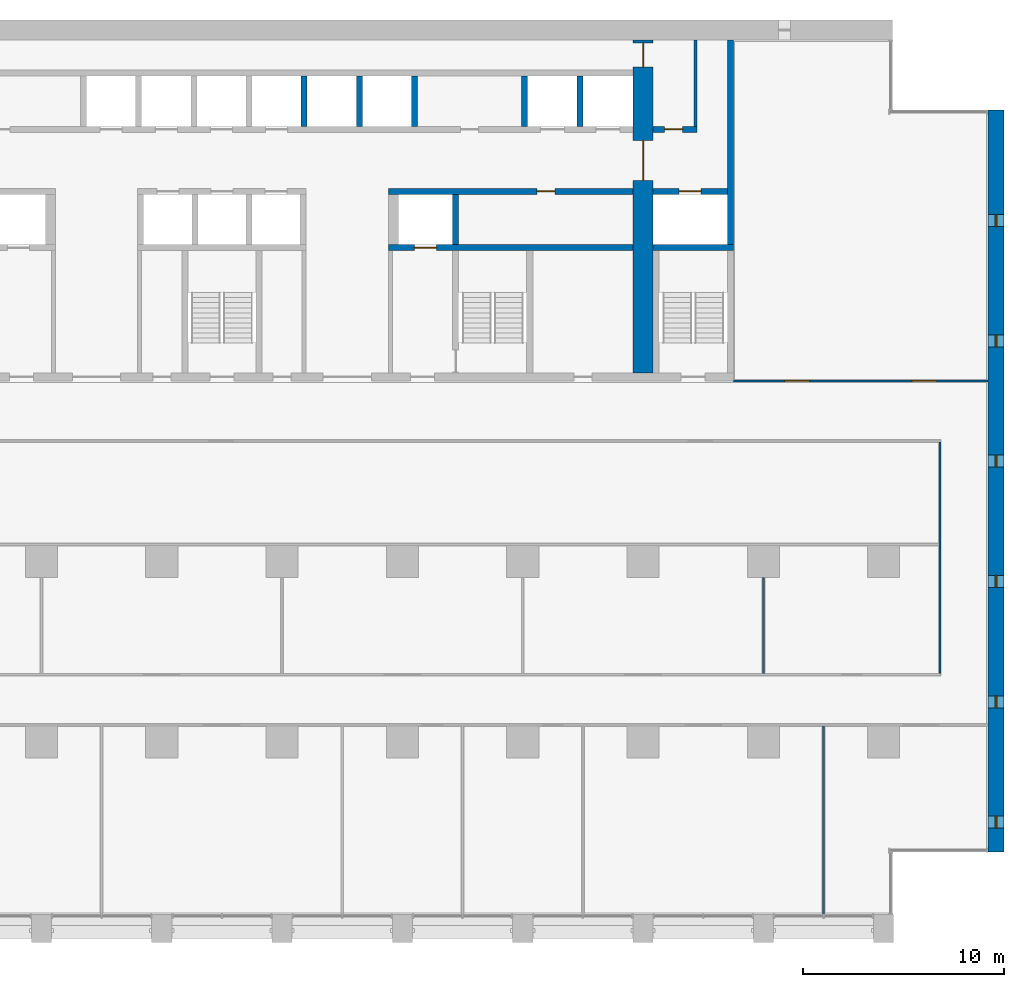
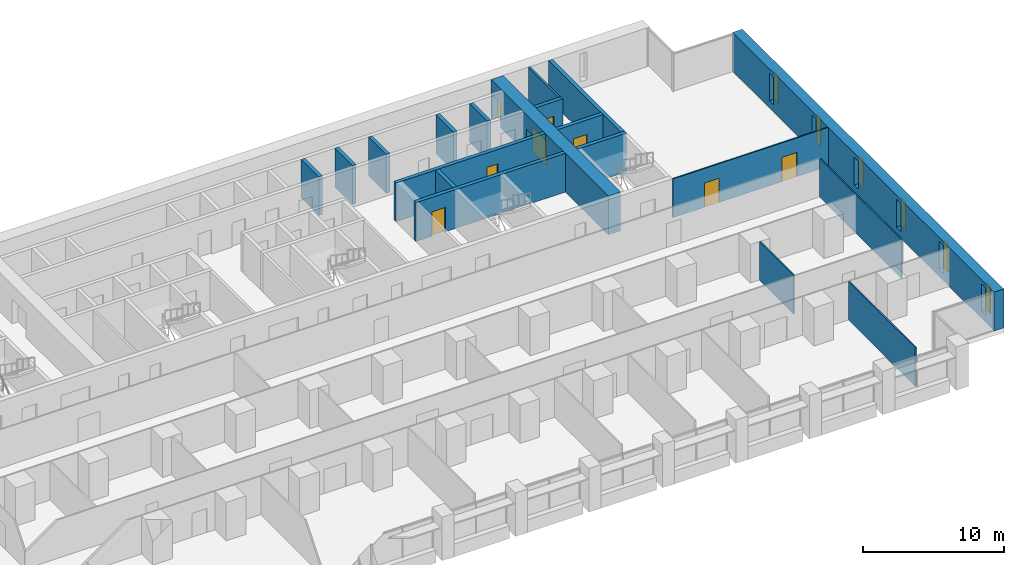
# One storey, part 13 of 18: 19 walls, 8 doors, 6 windows, 14 openings.
"""IFC4 building model written with IfcOpenShell, lengths in metres."""

from ifc_helpers import new_model, si_unit, direction, frame, frame_2d, origin, place, context, subcontext, project, spatial, rectangle, extrude, material, layer, layer_set, type_object, element, fill, save


model = new_model("IFC4")

# Units and contexts
model_context = context("Model", 3, precision=1e-05, world=origin(), true_north=direction((0.0, 1.0)))
body_context = subcontext(model_context, "Body", "Model", "MODEL_VIEW")
ifc_project = project(units=[si_unit("LENGTHUNIT", "METRE"), si_unit("AREAUNIT", "SQUARE_METRE"), si_unit("VOLUMEUNIT", "CUBIC_METRE"), si_unit("PLANEANGLEUNIT", "RADIAN"), si_unit("MASSUNIT", "GRAM", prefix="KILO")], contexts=[model_context])

# Site, building, storey
site_placement = place(None, origin())
site = spatial("IfcSite", under=ifc_project, at=site_placement, CompositionType="ELEMENT")
building_placement = place(site_placement, origin())
building = spatial("IfcBuilding", under=site, at=building_placement, Name="Calvaro Tower", CompositionType="ELEMENT")
storey_placement = place(building_placement, frame((0.0, 0.0, 63.75)))
storey = spatial("IfcBuildingStorey", under=building, at=storey_placement, Name="L15", CompositionType="ELEMENT", Elevation=63.75)

# Wall
ifc_material_1 = material(Name="Blockwork partition", Category="masonry")
ifc_layer_1 = layer(ifc_material_1, 0.14990234375)
ifc_layer_set_1 = layer_set([ifc_layer_1], Name="Blockwork partition")
wall_type_1 = type_object("IfcWallType", Name="Core partition 150 REI 120", PredefinedType="PARTITIONING", material=ifc_layer_set_1)
wall_1_placement = place(storey_placement, frame((62.625, 40.699951171875, 0.0), z_axis=(0.0, 0.0, 1.0), x_axis=(0.0, 1.0, 0.0)))
element("IfcWall", 1, at=wall_1_placement, inside=storey, type_object=wall_type_1, Name="Core partition", PredefinedType="PARTITIONING", context=body_context, shape_type="SweptSolid", body=[
    extrude(rectangle(XDim=4.300048828125, YDim=0.14990234375, at=frame_2d((2.14990234375, 0.0))), origin(), (0.0, 0.0, 1.0), 3.35009765625),
])

# Wall, opening, door
ifc_material_2 = material(Name="Blockwork partition", Category="masonry")
ifc_layer_2 = layer(ifc_material_2, 0.300048828125)
ifc_layer_set_2 = layer_set([ifc_layer_2], Name="Blockwork partition")
wall_type_2 = type_object("IfcWallType", Name="Core partition 300 REI 120", PredefinedType="PARTITIONING", material=ifc_layer_set_2)
wall_2_placement = place(storey_placement, frame((60.5, 40.550048828125, 0.0), z_axis=(0.0, 0.0, 1.0), x_axis=(1.0, 0.0, 0.0)))
wall_2 = element("IfcWall", 2, at=wall_2_placement, inside=storey, type_object=wall_type_2, Name="Core partition", PredefinedType="PARTITIONING", context=body_context, shape_type="SweptSolid", body=[
    extrude(rectangle(XDim=2.199951171875, YDim=0.300048828125, at=frame_2d((1.10009765625, 0.0))), origin(), (0.0, 0.0, 1.0), 3.35009765625),
])
opening_1_placement = place(wall_2_placement, frame((0.574951171875, 0.0, 0.0)))
opening_1 = element("IfcOpeningElement", 3, at=opening_1_placement, cuts=wall_2, Name="Opening RD9C", PredefinedType="OPENING", context=body_context, shape_type="SweptSolid", body=[
    extrude(rectangle(XDim=0.89990234375, YDim=2.10009765625, at=frame_2d((0.449951171875, 1.050048828125))), frame((0.0, 0.159912109375, 0.0), z_axis=(0.0, -1.0, 0.0), x_axis=(1.0, 0.0, 0.0)), (0.0, 0.0, 1.0), 0.320068359375),
])
ifc_material_3 = material(Name="Steel door set", Category="steel")
door_type_1 = type_object("IfcDoorType", Name="Room door 900 FD30", OperationType="SINGLE_SWING_LEFT", PredefinedType="DOOR", material=ifc_material_3)
door_1_placement = place(opening_1_placement, origin())
door_1 = element("IfcDoor", 4, at=door_1_placement, inside=storey, type_object=door_type_1, Name="Room door", OperationType="SINGLE_SWING_LEFT", OverallHeight=2.10009765625, OverallWidth=0.89990234375, PredefinedType="DOOR", context=body_context, shape_type="SweptSolid", body=[
    extrude(rectangle(XDim=0.89990234375, YDim=2.10009765625, at=frame_2d((0.449951171875, 1.050048828125))), frame((0.0, 0.02490234375, 0.0), z_axis=(0.0, -1.0, 0.0), x_axis=(1.0, 0.0, 0.0)), (0.0, 0.0, 1.0), 0.050048828125),
])
fill(opening_1, door_1)

# Wall, openings, doors
ifc_material_4 = material(Name="Concrete C80/95", Category="concrete")
ifc_layer_3 = layer(ifc_material_4, 1.0)
ifc_layer_set_3 = layer_set([ifc_layer_3], Name="Concrete C80/95")
wall_type_3 = type_object("IfcWallType", Name="Core wall C80/95 1000", PredefinedType="SHEAR", material=ifc_layer_set_3)
wall_3_placement = place(storey_placement, frame((60.0, 28.39990234375, 0.0), z_axis=(0.0, 0.0, 1.0), x_axis=(0.0, 1.0, 0.0)))
wall_3 = element("IfcWall", 5, at=wall_3_placement, inside=storey, type_object=wall_type_3, Name="Core wall, cross shear wall", PredefinedType="SHEAR", context=body_context, shape_type="SweptSolid", body=[
    extrude(rectangle(XDim=16.60009765625, YDim=1.0, at=frame_2d((8.300048828125, 0.0))), origin(), (0.0, 0.0, 1.0), 3.35009765625),
])
opening_2_placement = place(wall_3_placement, frame((9.60009765625, 0.0, 0.0)))
opening_2 = element("IfcOpeningElement", 6, at=opening_2_placement, cuts=wall_3, Name="Opening DD20D", PredefinedType="OPENING", context=body_context, shape_type="SweptSolid", body=[
    extrude(rectangle(XDim=2.0, YDim=2.10009765625, at=frame_2d((1.0, 1.050048828125))), frame((0.0, 0.510009765625, 0.0), z_axis=(0.0, -1.0, 0.0), x_axis=(1.0, 0.0, 0.0)), (0.0, 0.0, 1.0), 1.02001953125),
])
opening_3_placement = place(wall_3_placement, frame((15.25, 0.0, 0.0)))
opening_3 = element("IfcOpeningElement", 7, at=opening_3_placement, cuts=wall_3, Name="Opening FD12C", PredefinedType="OPENING", context=body_context, shape_type="SweptSolid", body=[
    extrude(rectangle(XDim=1.199951171875, YDim=2.10009765625, at=frame_2d((0.60009765625, 1.050048828125))), frame((0.0, 0.510009765625, 0.0), z_axis=(0.0, -1.0, 0.0), x_axis=(1.0, 0.0, 0.0)), (0.0, 0.0, 1.0), 1.02001953125),
])
ifc_material_5 = material(Name="Steel door set", Category="steel")
door_type_2 = type_object("IfcDoorType", Name="Fire door 1200 FD30", OperationType="SINGLE_SWING_LEFT", PredefinedType="DOOR", material=ifc_material_5)
door_2_placement = place(opening_3_placement, origin())
door_2 = element("IfcDoor", 8, at=door_2_placement, inside=storey, type_object=door_type_2, Name="Fire door", OperationType="SINGLE_SWING_LEFT", OverallHeight=2.10009765625, OverallWidth=1.199951171875, PredefinedType="DOOR", context=body_context, shape_type="SweptSolid", body=[
    extrude(rectangle(XDim=1.199951171875, YDim=2.10009765625, at=frame_2d((0.60009765625, 1.050048828125))), frame((0.0, 0.02490234375, 0.0), z_axis=(0.0, -1.0, 0.0), x_axis=(1.0, 0.0, 0.0)), (0.0, 0.0, 1.0), 0.050048828125),
])
fill(opening_3, door_2)
ifc_material_6 = material(Name="Steel door set", Category="steel")
door_type_3 = type_object("IfcDoorType", Name="Lobby double door 2000 FD30S", OperationType="DOUBLE_DOOR_SINGLE_SWING", PredefinedType="DOOR", material=ifc_material_6)
door_3_placement = place(opening_2_placement, origin())
door_3 = element("IfcDoor", 9, at=door_3_placement, inside=storey, type_object=door_type_3, Name="Lobby double door", OperationType="DOUBLE_DOOR_SINGLE_SWING", OverallHeight=2.10009765625, OverallWidth=2.0, PredefinedType="DOOR", context=body_context, shape_type="SweptSolid", body=[
    extrude(rectangle(XDim=2.0, YDim=2.10009765625, at=frame_2d((1.0, 1.050048828125))), frame((0.0, 0.02490234375, 0.0), z_axis=(0.0, -1.0, 0.0), x_axis=(1.0, 0.0, 0.0)), (0.0, 0.0, 1.0), 0.050048828125),
])
fill(opening_2, door_3)

# Wall
ifc_material_7 = material(Name="Concrete C80/95", Category="concrete")
ifc_layer_4 = layer(ifc_material_7, 0.300048828125)
ifc_layer_set_4 = layer_set([ifc_layer_4], Name="Concrete C80/95")
wall_type_4 = type_object("IfcWallType", Name="Core wall C80/95 300", PredefinedType="SHEAR", material=ifc_layer_set_4)
wall_4_placement = place(storey_placement, frame((64.35009765625, 34.800048828125, 0.0), z_axis=(0.0, 0.0, 1.0), x_axis=(0.0, 1.0, 0.0)))
element("IfcWall", 10, at=wall_4_placement, inside=storey, type_object=wall_type_4, Name="Core wall, boundary", PredefinedType="SHEAR", context=body_context, shape_type="SweptSolid", body=[
    extrude(rectangle(XDim=10.199951171875, YDim=0.300048828125, at=frame_2d((5.10009765625, 0.0))), origin(), (0.0, 0.0, 1.0), 3.35009765625),
])

# Wall, opening, door
wall_5_placement = place(storey_placement, frame((47.300048828125, 34.64990234375, 0.0), z_axis=(0.0, 0.0, 1.0), x_axis=(1.0, 0.0, 0.0)))
wall_5 = element("IfcWall", 11, at=wall_5_placement, inside=storey, type_object=wall_type_4, Name="Core wall, lift shaft", PredefinedType="SHEAR", context=body_context, shape_type="SweptSolid", body=[
    extrude(rectangle(XDim=12.199951171875, YDim=0.300048828125, at=frame_2d((6.10009765625, 0.0))), origin(), (0.0, 0.0, 1.0), 3.35009765625),
])
opening_4_placement = place(wall_5_placement, frame((1.300048828125, 0.0, 0.0)))
opening_4 = element("IfcOpeningElement", 12, at=opening_4_placement, cuts=wall_5, Name="Opening FF2", PredefinedType="OPENING", context=body_context, shape_type="SweptSolid", body=[
    extrude(rectangle(XDim=1.10009765625, YDim=2.10009765625, at=frame_2d((0.550048828125, 1.050048828125))), frame((0.0, 0.159912109375, 0.0), z_axis=(0.0, -1.0, 0.0), x_axis=(1.0, 0.0, 0.0)), (0.0, 0.0, 1.0), 0.320068359375),
])
ifc_material_8 = material(Name="Stainless steel", Category="steel")
door_type_4 = type_object("IfcDoorType", Name="Landing door 1100 E 60", OperationType="SLIDING_TO_LEFT", PredefinedType="DOOR", material=ifc_material_8)
door_4_placement = place(opening_4_placement, origin())
door_4 = element("IfcDoor", 13, at=door_4_placement, inside=storey, type_object=door_type_4, Name="Landing door FF2", OperationType="SLIDING_TO_LEFT", OverallHeight=2.10009765625, OverallWidth=1.10009765625, PredefinedType="DOOR", context=body_context, shape_type="SweptSolid", body=[
    extrude(rectangle(XDim=1.10009765625, YDim=2.10009765625, at=frame_2d((0.550048828125, 1.050048828125))), frame((0.0, 0.02490234375, 0.0), z_axis=(0.0, -1.0, 0.0), x_axis=(1.0, 0.0, 0.0)), (0.0, 0.0, 1.0), 0.050048828125),
])
fill(opening_4, door_4)

# Wall
wall_6_placement = place(storey_placement, frame((60.5, 34.64990234375, 0.0), z_axis=(0.0, 0.0, 1.0), x_axis=(1.0, 0.0, 0.0)))
element("IfcWall", 14, at=wall_6_placement, inside=storey, type_object=wall_type_4, Name="Core wall, lift shaft", PredefinedType="SHEAR", context=body_context, shape_type="SweptSolid", body=[
    extrude(rectangle(XDim=4.0, YDim=0.300048828125, at=frame_2d((2.0, 0.0))), origin(), (0.0, 0.0, 1.0), 3.35009765625),
])

# Wall, opening, door
wall_7_placement = place(storey_placement, frame((59.5, 37.449951171875, 0.0), z_axis=(0.0, 0.0, 1.0), x_axis=(-1.0, 0.0, 0.0)))
wall_7 = element("IfcWall", 15, at=wall_7_placement, inside=storey, type_object=wall_type_4, Name="Core wall, bay", PredefinedType="SHEAR", context=body_context, shape_type="SweptSolid", body=[
    extrude(rectangle(XDim=12.199951171875, YDim=0.300048828125, at=frame_2d((6.10009765625, 0.0))), origin(), (0.0, 0.0, 1.0), 3.35009765625),
])
opening_5_placement = place(wall_7_placement, frame((3.89990234375, 0.0, 0.0)))
opening_5 = element("IfcOpeningElement", 16, at=opening_5_placement, cuts=wall_7, Name="Opening RD9E", PredefinedType="OPENING", context=body_context, shape_type="SweptSolid", body=[
    extrude(rectangle(XDim=0.89990234375, YDim=2.10009765625, at=frame_2d((0.449951171875, 1.050048828125))), frame((0.0, 0.159912109375, 0.0), z_axis=(0.0, -1.0, 0.0), x_axis=(1.0, 0.0, 0.0)), (0.0, 0.0, 1.0), 0.320068359375),
])
ifc_material_9 = material(Name="Steel door set", Category="steel")
door_type_5 = type_object("IfcDoorType", Name="Room door 900 FD60", OperationType="SINGLE_SWING_LEFT", PredefinedType="DOOR", material=ifc_material_9)
door_5_placement = place(opening_5_placement, origin())
door_5 = element("IfcDoor", 17, at=door_5_placement, inside=storey, type_object=door_type_5, Name="Room door", OperationType="SINGLE_SWING_RIGHT", OverallHeight=2.10009765625, OverallWidth=0.89990234375, PredefinedType="DOOR", context=body_context, shape_type="SweptSolid", body=[
    extrude(rectangle(XDim=0.89990234375, YDim=2.10009765625, at=frame_2d((0.449951171875, 1.050048828125))), frame((0.0, 0.02490234375, 0.0), z_axis=(0.0, -1.0, 0.0), x_axis=(1.0, 0.0, 0.0)), (0.0, 0.0, 1.0), 0.050048828125),
])
fill(opening_5, door_5)

wall_8_placement = place(storey_placement, frame((60.5, 37.449951171875, 0.0), z_axis=(0.0, 0.0, 1.0), x_axis=(1.0, 0.0, 0.0)))
wall_8 = element("IfcWall", 18, at=wall_8_placement, inside=storey, type_object=wall_type_4, Name="Core wall, lift shaft", PredefinedType="SHEAR", context=body_context, shape_type="SweptSolid", body=[
    extrude(rectangle(XDim=3.699951171875, YDim=0.300048828125, at=frame_2d((1.85009765625, 0.0))), origin(), (0.0, 0.0, 1.0), 3.35009765625),
])
opening_6_placement = place(wall_8_placement, frame((1.300048828125, 0.0, 0.0)))
opening_6 = element("IfcOpeningElement", 19, at=opening_6_placement, cuts=wall_8, Name="Opening FF3", PredefinedType="OPENING", context=body_context, shape_type="SweptSolid", body=[
    extrude(rectangle(XDim=1.10009765625, YDim=2.10009765625, at=frame_2d((0.550048828125, 1.050048828125))), frame((0.0, 0.159912109375, 0.0), z_axis=(0.0, -1.0, 0.0), x_axis=(1.0, 0.0, 0.0)), (0.0, 0.0, 1.0), 0.320068359375),
])
door_6_placement = place(opening_6_placement, origin())
door_6 = element("IfcDoor", 20, at=door_6_placement, inside=storey, type_object=door_type_4, Name="Landing door FF3", OperationType="SLIDING_TO_LEFT", OverallHeight=2.10009765625, OverallWidth=1.10009765625, PredefinedType="DOOR", context=body_context, shape_type="SweptSolid", body=[
    extrude(rectangle(XDim=1.10009765625, YDim=2.10009765625, at=frame_2d((0.550048828125, 1.050048828125))), frame((0.0, 0.02490234375, 0.0), z_axis=(0.0, -1.0, 0.0), x_axis=(1.0, 0.0, 0.0)), (0.0, 0.0, 1.0), 0.050048828125),
])
fill(opening_6, door_6)

# Walls
for number, where, z_axis, x_axis, name in (
    (21, (50.64990234375, 34.800048828125, 0.0), (0.0, 0.0, 1.0), (0.0, 1.0, 0.0), "Core wall, lift shaft"),
    (22, (43.10009765625, 40.699951171875, 0.0), (0.0, 0.0, 1.0), (0.0, 1.0, 0.0), "Core wall, lift shaft"),
    (23, (45.85009765625, 40.699951171875, 0.0), (0.0, 0.0, 1.0), (0.0, 1.0, 0.0), "Core wall, lift shaft"),
    (24, (48.60009765625, 40.699951171875, 0.0), (0.0, 0.0, 1.0), (0.0, 1.0, 0.0), "Core wall, lift shaft"),
    (25, (54.10009765625, 40.699951171875, 0.0), (0.0, 0.0, 1.0), (0.0, 1.0, 0.0), "Core wall, lift shaft"),
    (26, (56.85009765625, 40.699951171875, 0.0), (0.0, 0.0, 1.0), (0.0, 1.0, 0.0), "Core wall, lift shaft"),
):
    element("IfcWall", number, at=place(storey_placement, frame(where, z_axis=z_axis, x_axis=x_axis)), inside=storey, type_object=wall_type_4, Name=name, PredefinedType="SHEAR", context=body_context, shape_type="SweptSolid", body=[
        extrude(rectangle(XDim=2.5, YDim=0.300048828125, at=frame_2d((1.25, 0.0))), origin(), (0.0, 0.0, 1.0), 3.35009765625),
    ])

# Wall, openings, windows
ifc_material_10 = material(Name="Concrete C80/95", Category="concrete")
ifc_layer_5 = layer(ifc_material_10, 0.800048828125)
ifc_layer_set_5 = layer_set([ifc_layer_5], Name="Concrete C80/95")
wall_type_5 = type_object("IfcWallType", Name="End wall 800 C80/95", PredefinedType="SHEAR", material=ifc_layer_set_5)
wall_9_placement = place(storey_placement, frame((77.60009765625, 4.5, 0.0), z_axis=(0.0, 0.0, 1.0), x_axis=(0.0, 1.0, 0.0)))
wall_9 = element("IfcWall", 27, at=wall_9_placement, inside=storey, type_object=wall_type_5, Name="End shear wall", PredefinedType="SHEAR", context=body_context, shape_type="SweptSolid", body=[
    extrude(rectangle(XDim=37.0, YDim=0.800048828125, at=frame_2d((18.5, 0.0))), origin(), (0.0, 0.0, 1.0), 3.35009765625),
])
opening_7_placement = place(wall_9_placement, frame((1.199951171875, 0.0, 0.60009765625)))
opening_7 = element("IfcOpeningElement", 28, at=opening_7_placement, cuts=wall_9, Name="Opening WE01", PredefinedType="OPENING", context=body_context, shape_type="SweptSolid", body=[
    extrude(rectangle(XDim=0.60009765625, YDim=2.39990234375, at=frame_2d((0.300048828125, 1.199951171875))), frame((0.0, 0.409912109375, 0.0), z_axis=(0.0, -1.0, 0.0), x_axis=(1.0, 0.0, 0.0)), (0.0, 0.0, 1.0), 0.820068359375),
])
opening_8_placement = place(wall_9_placement, frame((7.199951171875, 0.0, 0.60009765625)))
opening_8 = element("IfcOpeningElement", 29, at=opening_8_placement, cuts=wall_9, Name="Opening WE02", PredefinedType="OPENING", context=body_context, shape_type="SweptSolid", body=[
    extrude(rectangle(XDim=0.60009765625, YDim=2.39990234375, at=frame_2d((0.300048828125, 1.199951171875))), frame((0.0, 0.409912109375, 0.0), z_axis=(0.0, -1.0, 0.0), x_axis=(1.0, 0.0, 0.0)), (0.0, 0.0, 1.0), 0.820068359375),
])
opening_9_placement = place(wall_9_placement, frame((13.199951171875, 0.0, 0.60009765625)))
opening_9 = element("IfcOpeningElement", 30, at=opening_9_placement, cuts=wall_9, Name="Opening WE03", PredefinedType="OPENING", context=body_context, shape_type="SweptSolid", body=[
    extrude(rectangle(XDim=0.60009765625, YDim=2.39990234375, at=frame_2d((0.300048828125, 1.199951171875))), frame((0.0, 0.409912109375, 0.0), z_axis=(0.0, -1.0, 0.0), x_axis=(1.0, 0.0, 0.0)), (0.0, 0.0, 1.0), 0.820068359375),
])
opening_10_placement = place(wall_9_placement, frame((19.199951171875, 0.0, 0.60009765625)))
opening_10 = element("IfcOpeningElement", 31, at=opening_10_placement, cuts=wall_9, Name="Opening WE04", PredefinedType="OPENING", context=body_context, shape_type="SweptSolid", body=[
    extrude(rectangle(XDim=0.60009765625, YDim=2.39990234375, at=frame_2d((0.300048828125, 1.199951171875))), frame((0.0, 0.409912109375, 0.0), z_axis=(0.0, -1.0, 0.0), x_axis=(1.0, 0.0, 0.0)), (0.0, 0.0, 1.0), 0.820068359375),
])
opening_11_placement = place(wall_9_placement, frame((25.199951171875, 0.0, 0.60009765625)))
opening_11 = element("IfcOpeningElement", 32, at=opening_11_placement, cuts=wall_9, Name="Opening WE05", PredefinedType="OPENING", context=body_context, shape_type="SweptSolid", body=[
    extrude(rectangle(XDim=0.60009765625, YDim=2.39990234375, at=frame_2d((0.300048828125, 1.199951171875))), frame((0.0, 0.409912109375, 0.0), z_axis=(0.0, -1.0, 0.0), x_axis=(1.0, 0.0, 0.0)), (0.0, 0.0, 1.0), 0.820068359375),
])
opening_12_placement = place(wall_9_placement, frame((31.199951171875, 0.0, 0.60009765625)))
opening_12 = element("IfcOpeningElement", 33, at=opening_12_placement, cuts=wall_9, Name="Opening WE06", PredefinedType="OPENING", context=body_context, shape_type="SweptSolid", body=[
    extrude(rectangle(XDim=0.60009765625, YDim=2.39990234375, at=frame_2d((0.300048828125, 1.199951171875))), frame((0.0, 0.409912109375, 0.0), z_axis=(0.0, -1.0, 0.0), x_axis=(1.0, 0.0, 0.0)), (0.0, 0.0, 1.0), 0.820068359375),
])
ifc_material_11 = material(Name="Glass", Category="glass")
window_type = type_object("IfcWindowType", Name="Slit window 600 x 2400", PartitioningType="SINGLE_PANEL", PredefinedType="WINDOW", material=ifc_material_11)
window_1_placement = place(opening_7_placement, origin())
window_1 = element("IfcWindow", 34, at=window_1_placement, inside=storey, type_object=window_type, Name="Window WE01", OverallHeight=2.39990234375, OverallWidth=0.60009765625, PartitioningType="SINGLE_PANEL", PredefinedType="WINDOW", context=body_context, shape_type="SweptSolid", body=[
    extrude(rectangle(XDim=0.60009765625, YDim=2.39990234375, at=frame_2d((0.300048828125, 1.199951171875))), frame((0.0, 0.030029296875, 0.0), z_axis=(0.0, -1.0, 0.0), x_axis=(1.0, 0.0, 0.0)), (0.0, 0.0, 1.0), 0.06005859375),
])
fill(opening_7, window_1)
window_2_placement = place(opening_8_placement, origin())
window_2 = element("IfcWindow", 35, at=window_2_placement, inside=storey, type_object=window_type, Name="Window WE02", OverallHeight=2.39990234375, OverallWidth=0.60009765625, PartitioningType="SINGLE_PANEL", PredefinedType="WINDOW", context=body_context, shape_type="SweptSolid", body=[
    extrude(rectangle(XDim=0.60009765625, YDim=2.39990234375, at=frame_2d((0.300048828125, 1.199951171875))), frame((0.0, 0.030029296875, 0.0), z_axis=(0.0, -1.0, 0.0), x_axis=(1.0, 0.0, 0.0)), (0.0, 0.0, 1.0), 0.06005859375),
])
fill(opening_8, window_2)
window_3_placement = place(opening_9_placement, origin())
window_3 = element("IfcWindow", 36, at=window_3_placement, inside=storey, type_object=window_type, Name="Window WE03", OverallHeight=2.39990234375, OverallWidth=0.60009765625, PartitioningType="SINGLE_PANEL", PredefinedType="WINDOW", context=body_context, shape_type="SweptSolid", body=[
    extrude(rectangle(XDim=0.60009765625, YDim=2.39990234375, at=frame_2d((0.300048828125, 1.199951171875))), frame((0.0, 0.030029296875, 0.0), z_axis=(0.0, -1.0, 0.0), x_axis=(1.0, 0.0, 0.0)), (0.0, 0.0, 1.0), 0.06005859375),
])
fill(opening_9, window_3)
window_4_placement = place(opening_10_placement, origin())
window_4 = element("IfcWindow", 37, at=window_4_placement, inside=storey, type_object=window_type, Name="Window WE04", OverallHeight=2.39990234375, OverallWidth=0.60009765625, PartitioningType="SINGLE_PANEL", PredefinedType="WINDOW", context=body_context, shape_type="SweptSolid", body=[
    extrude(rectangle(XDim=0.60009765625, YDim=2.39990234375, at=frame_2d((0.300048828125, 1.199951171875))), frame((0.0, 0.030029296875, 0.0), z_axis=(0.0, -1.0, 0.0), x_axis=(1.0, 0.0, 0.0)), (0.0, 0.0, 1.0), 0.06005859375),
])
fill(opening_10, window_4)
window_5_placement = place(opening_11_placement, origin())
window_5 = element("IfcWindow", 38, at=window_5_placement, inside=storey, type_object=window_type, Name="Window WE05", OverallHeight=2.39990234375, OverallWidth=0.60009765625, PartitioningType="SINGLE_PANEL", PredefinedType="WINDOW", context=body_context, shape_type="SweptSolid", body=[
    extrude(rectangle(XDim=0.60009765625, YDim=2.39990234375, at=frame_2d((0.300048828125, 1.199951171875))), frame((0.0, 0.030029296875, 0.0), z_axis=(0.0, -1.0, 0.0), x_axis=(1.0, 0.0, 0.0)), (0.0, 0.0, 1.0), 0.06005859375),
])
fill(opening_11, window_5)
window_6_placement = place(opening_12_placement, origin())
window_6 = element("IfcWindow", 39, at=window_6_placement, inside=storey, type_object=window_type, Name="Window WE06", OverallHeight=2.39990234375, OverallWidth=0.60009765625, PartitioningType="SINGLE_PANEL", PredefinedType="WINDOW", context=body_context, shape_type="SweptSolid", body=[
    extrude(rectangle(XDim=0.60009765625, YDim=2.39990234375, at=frame_2d((0.300048828125, 1.199951171875))), frame((0.0, 0.030029296875, 0.0), z_axis=(0.0, -1.0, 0.0), x_axis=(1.0, 0.0, 0.0)), (0.0, 0.0, 1.0), 0.06005859375),
])
fill(opening_12, window_6)

# Wall, openings, doors
ifc_material_12 = material(Name="Plasterboard on steel studs", Category="steel")
ifc_layer_6 = layer(ifc_material_12, 0.10009765625)
ifc_layer_set_6 = layer_set([ifc_layer_6], Name="Plasterboard on steel studs")
wall_type_6 = type_object("IfcWallType", Name="Partition 100", PredefinedType="PARTITIONING", material=ifc_layer_set_6)
wall_10_placement = place(storey_placement, frame((64.5, 28.0, 0.0), z_axis=(0.0, 0.0, 1.0), x_axis=(1.0, 0.0, 0.0)))
wall_10 = element("IfcWall", 40, at=wall_10_placement, inside=storey, type_object=wall_type_6, Name="Partition T12.W006", PredefinedType="PARTITIONING", context=body_context, shape_type="SweptSolid", body=[
    extrude(rectangle(XDim=12.699951171875, YDim=0.10009765625, at=frame_2d((6.35009765625, 0.0))), origin(), (0.0, 0.0, 1.0), 3.35009765625),
])
opening_13_placement = place(wall_10_placement, frame((2.574951171875, 0.0, 0.0)))
opening_13 = element("IfcOpeningElement", 41, at=opening_13_placement, cuts=wall_10, Name="Opening T12.020", PredefinedType="OPENING", context=body_context, shape_type="SweptSolid", body=[
    extrude(rectangle(XDim=1.199951171875, YDim=2.10009765625, at=frame_2d((0.60009765625, 1.050048828125))), frame((0.0, 0.06005859375, 0.0), z_axis=(0.0, -1.0, 0.0), x_axis=(1.0, 0.0, 0.0)), (0.0, 0.0, 1.0), 0.1201171875),
])
opening_14_placement = place(wall_10_placement, frame((8.925048828125, 0.0, 0.0)))
opening_14 = element("IfcOpeningElement", 42, at=opening_14_placement, cuts=wall_10, Name="Opening T12.021", PredefinedType="OPENING", context=body_context, shape_type="SweptSolid", body=[
    extrude(rectangle(XDim=1.199951171875, YDim=2.10009765625, at=frame_2d((0.60009765625, 1.050048828125))), frame((0.0, 0.06005859375, 0.0), z_axis=(0.0, -1.0, 0.0), x_axis=(1.0, 0.0, 0.0)), (0.0, 0.0, 1.0), 0.1201171875),
])
ifc_material_13 = material(Name="Timber", Category="wood")
door_type_6 = type_object("IfcDoorType", Name="Internal single door 1200 x 2100", OperationType="SINGLE_SWING_LEFT", PredefinedType="DOOR", material=ifc_material_13)
door_7_placement = place(opening_13_placement, origin())
door_7 = element("IfcDoor", 43, at=door_7_placement, inside=storey, type_object=door_type_6, Name="Door T12.020", OperationType="SINGLE_SWING_LEFT", OverallHeight=2.10009765625, OverallWidth=1.199951171875, PredefinedType="DOOR", context=body_context, shape_type="SweptSolid", body=[
    extrude(rectangle(XDim=1.199951171875, YDim=2.10009765625, at=frame_2d((0.60009765625, 1.050048828125))), frame((0.0, 0.02490234375, 0.0), z_axis=(0.0, -1.0, 0.0), x_axis=(1.0, 0.0, 0.0)), (0.0, 0.0, 1.0), 0.050048828125),
])
fill(opening_13, door_7)
door_8_placement = place(opening_14_placement, origin())
door_8 = element("IfcDoor", 44, at=door_8_placement, inside=storey, type_object=door_type_6, Name="Door T12.021", OperationType="SINGLE_SWING_RIGHT", OverallHeight=2.10009765625, OverallWidth=1.199951171875, PredefinedType="DOOR", context=body_context, shape_type="SweptSolid", body=[
    extrude(rectangle(XDim=1.199951171875, YDim=2.10009765625, at=frame_2d((0.60009765625, 1.050048828125))), frame((0.0, 0.02490234375, 0.0), z_axis=(0.0, -1.0, 0.0), x_axis=(1.0, 0.0, 0.0)), (0.0, 0.0, 1.0), 0.050048828125),
])
fill(opening_14, door_8)

# Walls
wall_11_placement = place(storey_placement, frame((66.0, 13.39990234375, 0.0), z_axis=(0.0, 0.0, 1.0), x_axis=(0.0, 1.0, 0.0)))
element("IfcWall", 45, at=wall_11_placement, inside=storey, type_object=wall_type_6, Name="Partition T12.W019", PredefinedType="PARTITIONING", context=body_context, shape_type="SweptSolid", body=[
    extrude(rectangle(XDim=4.800048828125, YDim=0.10009765625, at=frame_2d((2.39990234375, 0.0))), origin(), (0.0, 0.0, 1.0), 3.35009765625),
])
wall_12_placement = place(storey_placement, frame((69.0, 1.39990234375, 0.0), z_axis=(0.0, 0.0, 1.0), x_axis=(0.0, 1.0, 0.0)))
element("IfcWall", 46, at=wall_12_placement, inside=storey, type_object=wall_type_6, Name="Partition T12.W020", PredefinedType="PARTITIONING", context=body_context, shape_type="SweptSolid", body=[
    extrude(rectangle(XDim=9.400146484375, YDim=0.10009765625, at=frame_2d((4.7001953125, 0.0))), origin(), (0.0, 0.0, 1.0), 3.35009765625),
])
wall_13_placement = place(storey_placement, frame((74.800048828125, 13.39990234375, 0.0), z_axis=(0.0, 0.0, 1.0), x_axis=(0.0, 1.0, 0.0)))
element("IfcWall", 47, at=wall_13_placement, inside=storey, type_object=wall_type_6, Name="Partition T12.W021", PredefinedType="PARTITIONING", context=body_context, shape_type="SweptSolid", body=[
    extrude(rectangle(XDim=11.550048828125, YDim=0.10009765625, at=frame_2d((5.77490234375, 0.0))), origin(), (0.0, 0.0, 1.0), 3.35009765625),
])

save(model, "model.ifc")
